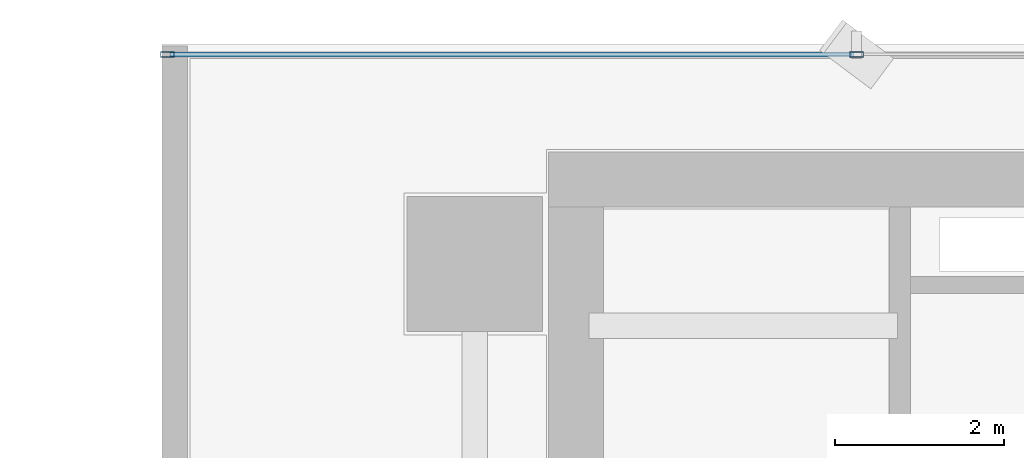
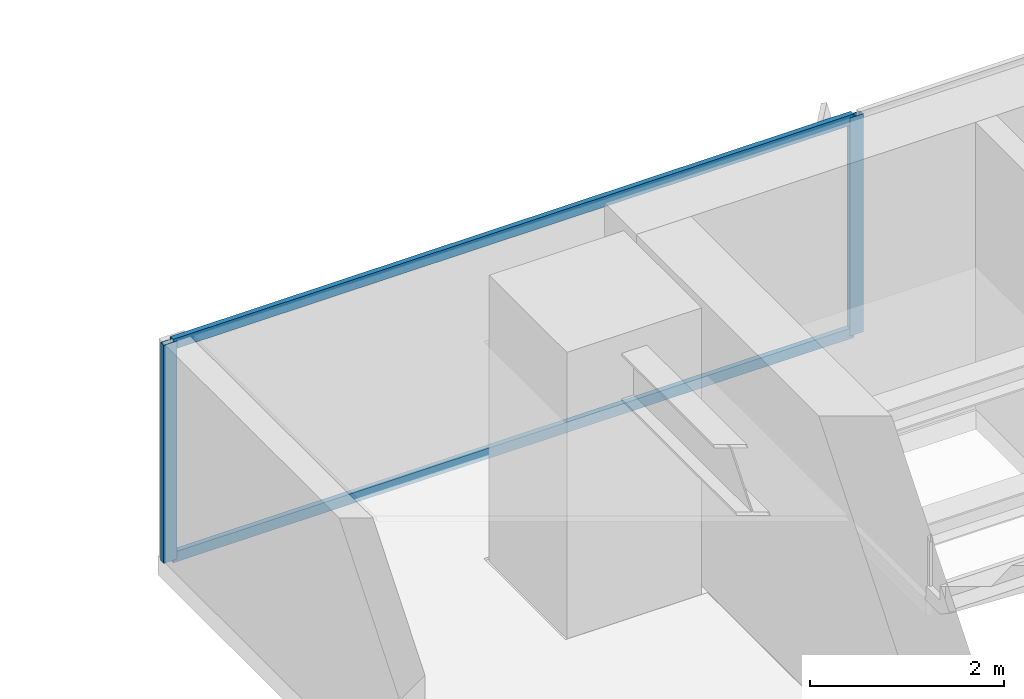
# One storey, part 20 of 37: 4 members, 1 element without a shape of its own.
"""IFC4 building model written with IfcOpenShell, lengths in metres."""

from ifc_helpers import new_model, si_unit, direction, frame, origin, origin_2d, place, context, subcontext, project, spatial, hollow_rectangle, extrude, source, transform, mapped, material, layer, layer_set, material_profile, profile_set, type_object, element, aggregate, save


model = new_model("IFC4")

# Units and contexts
model_context = context("Model", 3, precision=1e-05, world=origin(), true_north=direction((0.0, 1.0)))
body_context = subcontext(model_context, "Body", "Model", "MODEL_VIEW")
ifc_project = project(units=[si_unit("LENGTHUNIT", "METRE"), si_unit("AREAUNIT", "SQUARE_METRE"), si_unit("VOLUMEUNIT", "CUBIC_METRE"), si_unit("PLANEANGLEUNIT", "RADIAN"), si_unit("MASSUNIT", "GRAM", prefix="KILO")], contexts=[model_context])

# Site, building, storey
site_placement = place(None, origin())
site = spatial("IfcSite", under=ifc_project, at=site_placement, CompositionType="ELEMENT")
building_placement = place(site_placement, origin())
building = spatial("IfcBuilding", under=site, at=building_placement, Name="Sumidabori Civic Tower", CompositionType="ELEMENT")
storey_placement = place(building_placement, frame((0.0, 0.0, 117.199951171875)))
storey = spatial("IfcBuildingStorey", under=building, at=storey_placement, Name="L30", CompositionType="ELEMENT", Elevation=117.199951171875)

# Curtain wall, members
ifc_material = material(Name="Anodised Bronze Aluminium AW-6063-T6", Category="aluminium")
ifc_layer = layer(ifc_material, 0.179931640625, Name="Anodised Bronze Aluminium AW-6063-T6")
ifc_layer_set = layer_set([ifc_layer], Name="Anodised Bronze Aluminium AW-6063-T6")
curtain_wall_type = type_object("IfcCurtainWallType", Name="CW-SYS-3", PredefinedType="NOTDEFINED", material=ifc_layer_set)
curtain_wall_placement = place(storey_placement, origin())
curtain_wall = element("IfcCurtainWall", 1, at=curtain_wall_placement, inside=storey, type_object=curtain_wall_type, Name="Curtain Wall CW:L30:R07", PredefinedType="NOTDEFINED")
ifc_material_profile_1 = material_profile(ifc_material, hollow_rectangle(XDim=0.06494140625, YDim=0.159912109375, WallThickness=0.0048828125, at=origin_2d()), Name="ALU MULLION 160x65")
ifc_profile_set_1 = profile_set([ifc_material_profile_1], Name="Anodised Bronze Aluminium AW-6063-T6")
member_type_1 = type_object("IfcMemberType", Name="CW-MUL-160", PredefinedType="MULLION", material=ifc_profile_set_1)
shared_shape_1 = source(origin(), body_context, "Body", "SweptSolid", [
    extrude(hollow_rectangle(XDim=0.06494140625, YDim=0.159912109375, WallThickness=0.0048828125, at=origin_2d()), origin(), (0.0, 0.0, 1.0), 2.739990234375),
])
member_1_placement = place(storey_placement, frame((-12.281982421875, 25.280029296875, 0.0), z_axis=(0.0, 0.0, 1.0), x_axis=(0.0, -1.0, 0.0)))
member_1 = element("IfcMember", 2, at=member_1_placement, type_object=member_type_1, Name="CW-3 mullion 5", PredefinedType="MULLION", context=body_context, shape_type="MappedRepresentation", body=[
    mapped(shared_shape_1, transform((0.0, 0.0, 0.0), x_axis=(1.0, 0.0, 0.0), y_axis=(0.0, 1.0, 0.0), z_axis=(0.0, 0.0, 1.0), scale=1.0)),
])
member_2_placement = place(storey_placement, frame((-20.4375, 25.280029296875, 0.0), z_axis=(0.0, 0.0, 1.0), x_axis=(0.0, -1.0, 0.0)))
member_2 = element("IfcMember", 3, at=member_2_placement, type_object=member_type_1, Name="CW-3 mullion 6", PredefinedType="MULLION", context=body_context, shape_type="MappedRepresentation", body=[
    mapped(shared_shape_1, transform((0.0, 0.0, 0.0), x_axis=(1.0, 0.0, 0.0), y_axis=(0.0, 1.0, 0.0), z_axis=(0.0, 0.0, 1.0), scale=1.0)),
])
ifc_material_profile_2 = material_profile(ifc_material, hollow_rectangle(XDim=0.06005859375, YDim=0.1298828125, WallThickness=0.0048828125, at=origin_2d()), Name="ALU TRANSOM 130x60")
ifc_profile_set_2 = profile_set([ifc_material_profile_2], Name="Anodised Bronze Aluminium AW-6063-T6")
member_type_2 = type_object("IfcMemberType", Name="CW-TRN-130", PredefinedType="USERDEFINED", material=ifc_profile_set_2)
shared_shape_2 = source(origin(), body_context, "Body", "SweptSolid", [
    extrude(hollow_rectangle(XDim=0.06005859375, YDim=0.1298828125, WallThickness=0.0048828125, at=origin_2d()), origin(), (0.0, 0.0, 1.0), 8.090576171875),
])
member_3_placement = place(storey_placement, frame((-12.314453125, 25.280029296875, 0.030029296875), z_axis=(-1.0, 0.0, 0.0), x_axis=(0.0, -1.0, 0.0)))
member_3 = element("IfcMember", 4, at=member_3_placement, type_object=member_type_2, Name="CW-3 transom 5.1", ObjectType="TRANSOM", PredefinedType="USERDEFINED", context=body_context, shape_type="MappedRepresentation", body=[
    mapped(shared_shape_2, transform((0.0, 0.0, 0.0), x_axis=(1.0, 0.0, 0.0), y_axis=(0.0, 1.0, 0.0), z_axis=(0.0, 0.0, 1.0), scale=1.0)),
])
member_4_placement = place(storey_placement, frame((-12.314453125, 25.280029296875, 2.7099609375), z_axis=(-1.0, 0.0, 0.0), x_axis=(0.0, -1.0, 0.0)))
member_4 = element("IfcMember", 5, at=member_4_placement, type_object=member_type_2, Name="CW-3 transom 5.2", ObjectType="TRANSOM", PredefinedType="USERDEFINED", context=body_context, shape_type="MappedRepresentation", body=[
    mapped(shared_shape_2, transform((0.0, 0.0, 0.0), x_axis=(1.0, 0.0, 0.0), y_axis=(0.0, 1.0, 0.0), z_axis=(0.0, 0.0, 1.0), scale=1.0)),
])
aggregate(curtain_wall, [member_1, member_2, member_3, member_4])

save(model, "model.ifc")
